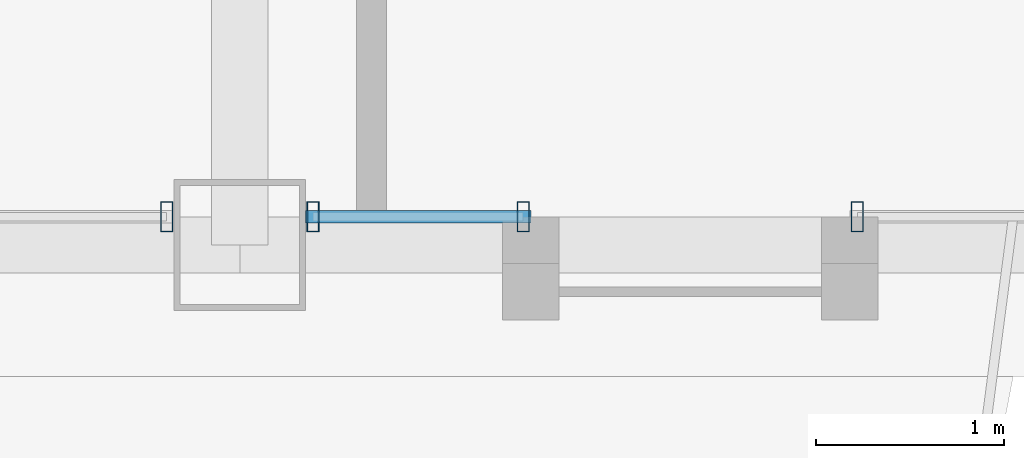
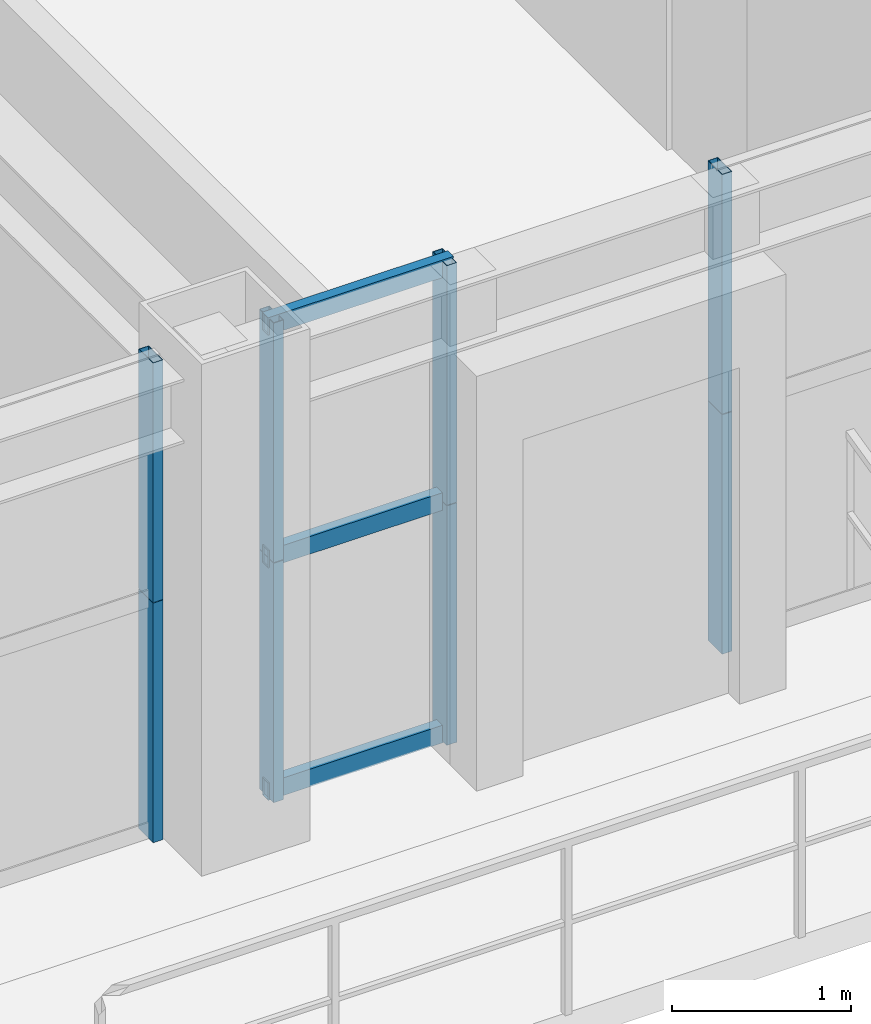
# One storey, part 11 of 37: 11 members, 3 elements without a shape of their own.
"""IFC4 building model written with IfcOpenShell, lengths in metres."""

from ifc_helpers import new_model, si_unit, direction, frame, origin, origin_2d, place, context, subcontext, project, spatial, hollow_rectangle, extrude, source, transform, mapped, material, layer, layer_set, material_profile, profile_set, type_object, element, aggregate, save


model = new_model("IFC4")

# Units and contexts
model_context = context("Model", 3, precision=1e-05, world=origin(), true_north=direction((0.0, 1.0)))
body_context = subcontext(model_context, "Body", "Model", "MODEL_VIEW")
ifc_project = project(units=[si_unit("LENGTHUNIT", "METRE"), si_unit("AREAUNIT", "SQUARE_METRE"), si_unit("VOLUMEUNIT", "CUBIC_METRE"), si_unit("PLANEANGLEUNIT", "RADIAN"), si_unit("MASSUNIT", "GRAM", prefix="KILO"), si_unit("THERMODYNAMICTEMPERATUREUNIT", "KELVIN"), si_unit("POWERUNIT", "WATT")], contexts=[model_context])

# Site, building, storey
site_placement = place(None, origin())
site = spatial("IfcSite", under=ifc_project, at=site_placement, CompositionType="ELEMENT")
building_placement = place(site_placement, origin())
building = spatial("IfcBuilding", under=site, at=building_placement, Name="Yuzanri Waterfront Tower", CompositionType="ELEMENT")
storey_placement = place(building_placement, frame((0.0, 0.0, 278.60009765625)))
storey = spatial("IfcBuildingStorey", under=building, at=storey_placement, Name="L74", CompositionType="ELEMENT", Elevation=278.60009765625)

# Curtain wall, members
ifc_material_1 = material(Name="Anodized Architectural Bronze", Category="metal")
ifc_layer = layer(ifc_material_1, 0.159912109375)
ifc_layer_set = layer_set([ifc_layer], Name="Anodized Architectural Bronze")
curtain_wall_type = type_object("IfcCurtainWallType", Name="Anodized Bronze Mid-Rise Residential Acoustic Unitized Curtain Wall 7200", PredefinedType="NOTDEFINED", material=ifc_layer_set)
curtain_wall_1_placement = place(storey_placement, origin())
curtain_wall_1 = element("IfcCurtainWall", 1, at=curtain_wall_1_placement, inside=storey, type_object=curtain_wall_type, Name="L74 Curtain Wall CW-L74-SL", PredefinedType="NOTDEFINED")
ifc_material_2 = material(Name="Anodized Architectural Bronze", Category="metal")
ifc_material_profile_1 = material_profile(ifc_material_2, hollow_rectangle(XDim=0.06494140625, YDim=0.159912109375, WallThickness=0.00341796875, at=origin_2d()), Name="CWM 65x160")
ifc_profile_set_1 = profile_set([ifc_material_profile_1], Name="Anodized Architectural Bronze")
member_type_1 = type_object("IfcMemberType", Name="Anodized Bronze Upper-Zone Curtain-Wall Mullion 65x160", PredefinedType="MULLION", material=ifc_profile_set_1)
shared_shape_1 = source(origin(), body_context, "Body", "SweptSolid", [
    extrude(hollow_rectangle(XDim=0.06494140625, YDim=0.159912109375, WallThickness=0.00341796875, at=origin_2d()), origin(), (0.0, 0.0, 1.0), 1.637939453125),
])
member_1_placement = place(storey_placement, frame((36.610107421875, 5.35009765625, 0.0), z_axis=(0.0, 0.0, 1.0), x_axis=(1.0, 0.0, 0.0)))
member_1 = element("IfcMember", 2, at=member_1_placement, type_object=member_type_1, Name="CW-L74-SL Lower Mullion 02", PredefinedType="MULLION", context=body_context, shape_type="MappedRepresentation", body=[
    mapped(shared_shape_1, transform((0.0, 0.0, 0.0), scale=1.0)),
])
member_2_placement = place(storey_placement, frame((36.610107421875, 5.35009765625, 1.641845703125), z_axis=(0.0, 0.0, 1.0), x_axis=(1.0, 0.0, 0.0)))
member_2 = element("IfcMember", 3, at=member_2_placement, type_object=member_type_1, Name="CW-L74-SL Upper Mullion 02", PredefinedType="MULLION", context=body_context, shape_type="MappedRepresentation", body=[
    mapped(shared_shape_1, transform((0.0, 0.0, 0.0), scale=1.0)),
])
aggregate(curtain_wall_1, [member_1, member_2])

curtain_wall_2_placement = place(storey_placement, origin())
curtain_wall_2 = element("IfcCurtainWall", 4, at=curtain_wall_2_placement, inside=storey, type_object=curtain_wall_type, Name="L74 Curtain Wall CW-L74-SR1", PredefinedType="NOTDEFINED")
member_3_placement = place(storey_placement, frame((37.389892578125, 5.35009765625, 0.0), z_axis=(0.0, 0.0, 1.0), x_axis=(1.0, 0.0, 0.0)))
member_3 = element("IfcMember", 5, at=member_3_placement, type_object=member_type_1, Name="CW-L74-SR1 Lower Mullion 00", PredefinedType="MULLION", context=body_context, shape_type="MappedRepresentation", body=[
    mapped(shared_shape_1, transform((0.0, 0.0, 0.0), scale=1.0)),
])
member_4_placement = place(storey_placement, frame((37.389892578125, 5.35009765625, 1.641845703125), z_axis=(0.0, 0.0, 1.0), x_axis=(1.0, 0.0, 0.0)))
member_4 = element("IfcMember", 6, at=member_4_placement, type_object=member_type_1, Name="CW-L74-SR1 Upper Mullion 00", PredefinedType="MULLION", context=body_context, shape_type="MappedRepresentation", body=[
    mapped(shared_shape_1, transform((0.0, 0.0, 0.0), scale=1.0)),
])
member_5_placement = place(storey_placement, frame((38.510009765625, 5.35009765625, 0.0), z_axis=(0.0, 0.0, 1.0), x_axis=(1.0, 0.0, 0.0)))
member_5 = element("IfcMember", 7, at=member_5_placement, type_object=member_type_1, Name="CW-L74-SR1 Lower Mullion 01", PredefinedType="MULLION", context=body_context, shape_type="MappedRepresentation", body=[
    mapped(shared_shape_1, transform((0.0, 0.0, 0.0), scale=1.0)),
])
member_6_placement = place(storey_placement, frame((38.510009765625, 5.35009765625, 1.641845703125), z_axis=(0.0, 0.0, 1.0), x_axis=(1.0, 0.0, 0.0)))
member_6 = element("IfcMember", 8, at=member_6_placement, type_object=member_type_1, Name="CW-L74-SR1 Upper Mullion 01", PredefinedType="MULLION", context=body_context, shape_type="MappedRepresentation", body=[
    mapped(shared_shape_1, transform((0.0, 0.0, 0.0), scale=1.0)),
])

curtain_wall_3_placement = place(storey_placement, origin())
curtain_wall_3 = element("IfcCurtainWall", 9, at=curtain_wall_3_placement, inside=storey, type_object=curtain_wall_type, Name="L74 Curtain Wall CW-L74-SR2", PredefinedType="NOTDEFINED")
member_7_placement = place(storey_placement, frame((40.2900390625, 5.35009765625, 0.0), z_axis=(0.0, 0.0, 1.0), x_axis=(1.0, 0.0, 0.0)))
member_7 = element("IfcMember", 10, at=member_7_placement, type_object=member_type_1, Name="CW-L74-SR2 Lower Mullion 00", PredefinedType="MULLION", context=body_context, shape_type="MappedRepresentation", body=[
    mapped(shared_shape_1, transform((0.0, 0.0, 0.0), scale=1.0)),
])
member_8_placement = place(storey_placement, frame((40.2900390625, 5.35009765625, 1.641845703125), z_axis=(0.0, 0.0, 1.0), x_axis=(1.0, 0.0, 0.0)))
member_8 = element("IfcMember", 11, at=member_8_placement, type_object=member_type_1, Name="CW-L74-SR2 Upper Mullion 00", PredefinedType="MULLION", context=body_context, shape_type="MappedRepresentation", body=[
    mapped(shared_shape_1, transform((0.0, 0.0, 0.0), scale=1.0)),
])
aggregate(curtain_wall_3, [member_7, member_8])

# Member
ifc_material_3 = material(Name="Anodized Architectural Bronze", Category="metal")
ifc_material_profile_2 = material_profile(ifc_material_3, hollow_rectangle(XDim=0.06494140625, YDim=0.1201171875, WallThickness=0.00341796875, at=origin_2d()), Name="CWT 65x120")
ifc_profile_set_2 = profile_set([ifc_material_profile_2], Name="Anodized Architectural Bronze")
member_type_2 = type_object("IfcMemberType", Name="Anodized Bronze Secondary Curtain-Wall Transom 65x120", PredefinedType="USERDEFINED", material=ifc_profile_set_2)
shared_shape_2 = source(origin(), body_context, "Body", "SweptSolid", [
    extrude(hollow_rectangle(XDim=0.06494140625, YDim=0.1201171875, WallThickness=0.00341796875, at=origin_2d()), origin(), (0.0, 0.0, 1.0), 1.199951171875),
])
member_9_placement = place(storey_placement, frame((37.35009765625, 5.35009765625, 0.0498046875), z_axis=(1.0, 0.0, 0.0), x_axis=(0.0, 1.0, 0.0)))
member_9 = element("IfcMember", 12, at=member_9_placement, type_object=member_type_2, Name="CW-L74-SR1 Transom 1", ObjectType="TRANSOM", PredefinedType="USERDEFINED", context=body_context, shape_type="MappedRepresentation", body=[
    mapped(shared_shape_2, transform((0.0, 0.0, 0.0), scale=1.0)),
])

member_10_placement = place(storey_placement, frame((37.35009765625, 5.35009765625, 1.639892578125), z_axis=(1.0, 0.0, 0.0), x_axis=(0.0, 1.0, 0.0)))
member_10 = element("IfcMember", 13, at=member_10_placement, type_object=member_type_2, Name="CW-L74-SR1 Transom 2", ObjectType="TRANSOM", PredefinedType="USERDEFINED", context=body_context, shape_type="MappedRepresentation", body=[
    mapped(shared_shape_2, transform((0.0, 0.0, 0.0), scale=1.0)),
])

member_11_placement = place(storey_placement, frame((37.35009765625, 5.35009765625, 3.22998046875), z_axis=(1.0, 0.0, 0.0), x_axis=(0.0, 1.0, 0.0)))
member_11 = element("IfcMember", 14, at=member_11_placement, type_object=member_type_2, Name="CW-L74-SR1 Transom 3", ObjectType="TRANSOM", PredefinedType="USERDEFINED", context=body_context, shape_type="MappedRepresentation", body=[
    mapped(shared_shape_2, transform((0.0, 0.0, 0.0), scale=1.0)),
])

aggregate(curtain_wall_2, [member_3, member_4, member_5, member_6, member_9, member_10, member_11])

save(model, "model.ifc")
